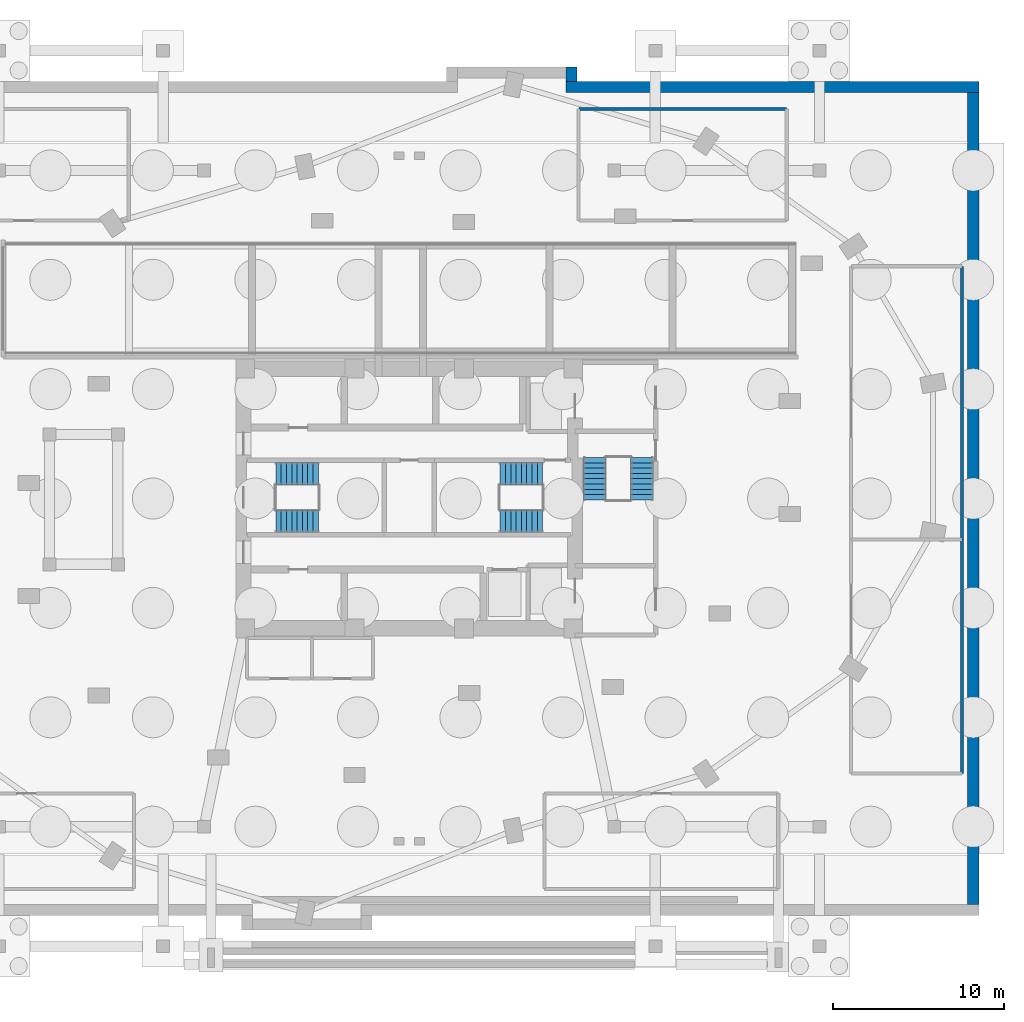
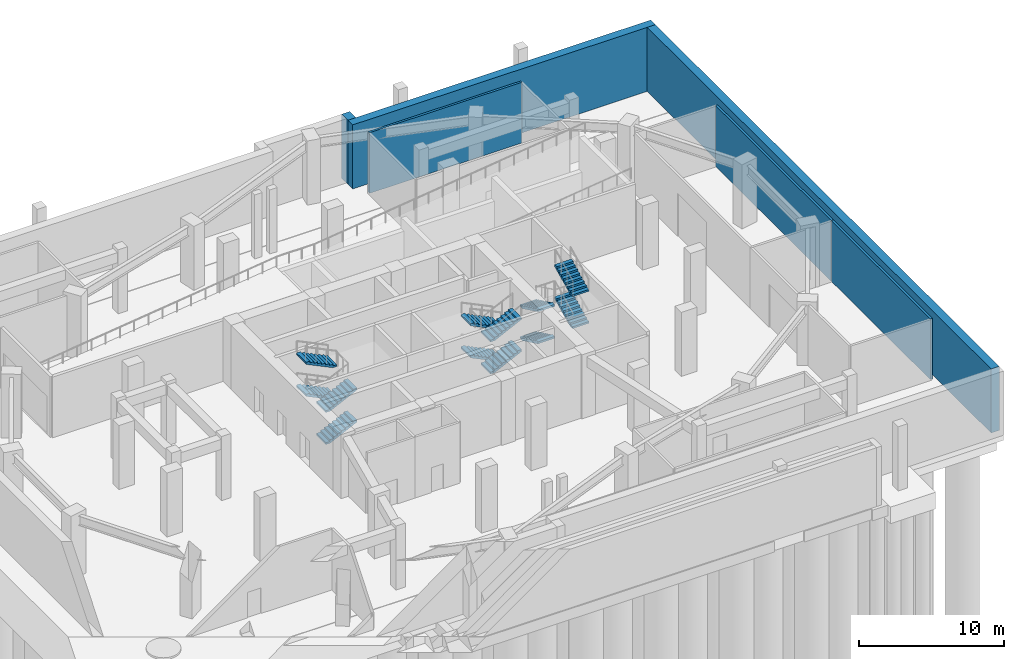
# One storey, part 5 of 8: 12 stair flights, 6 walls, 3 elements without a shape of their own.
"""IFC4 building model written with IfcOpenShell, lengths in metres."""

import ifcopenshell
import ifcopenshell.guid

model = None  # the IFC model being written
_history = None  # IfcOwnerHistory: only IFC2X3 demands one
_inside = {}  # id of a spatial element -> (the spatial element, [elements in it])
_under = {}  # id of a project, library or spatial element -> (it, [spatial elements below it])
_declared = {}  # id of a project -> (the project, [libraries it declares])
_typed = {}  # id of a type object -> (the type object, [elements of that type])
_made_of = {}  # id of a material, layer set ... -> (it, [elements and type objects made of it])


def new_model(schema):
    """Start an empty IFC model of exactly this schema.

    Asked for "IFC4X3", IfcOpenShell would pick the latest addendum, in which some entities
    have other attributes; the version numbers below select the first issue.
    IFC2X3 requires an IfcOwnerHistory on every rooted entity: one is made here for all.
    """
    global model, _history
    if schema == "IFC4X3":
        model = ifcopenshell.file(schema_version=(4, 3, 0, 0))
    else:
        model = ifcopenshell.file(schema=schema)
    _inside.clear()
    _under.clear()
    _declared.clear()
    _typed.clear()
    _made_of.clear()
    _history = None
    if model.schema == "IFC2X3":
        org = make("IfcOrganization", Name="unknown")
        user = make(
            "IfcPersonAndOrganization",
            ThePerson=make("IfcPerson", FamilyName="unknown"),
            TheOrganization=org,
        )
        app = make(
            "IfcApplication",
            ApplicationDeveloper=org,
            Version="unknown",
            ApplicationFullName="unknown",
            ApplicationIdentifier="unknown",
        )
        _history = make(
            "IfcOwnerHistory",
            OwningUser=user,
            OwningApplication=app,
            ChangeAction="ADDED",
            CreationDate=0,
        )
    return model


def make(cls, **values):
    """One entity of the class cls with the attributes given. An attribute that is None is left unset."""
    return model.create_entity(
        cls, **{name: value for name, value in values.items() if value is not None}
    )


def rooted(cls, **values):
    """An entity with a GlobalId (a new one), such as an element, a storey or a relation."""
    return make(cls, GlobalId=ifcopenshell.guid.new(), OwnerHistory=_history, **values)


def si_unit(unit_type, name, prefix=None):
    """IfcSIUnit, for example si_unit("LENGTHUNIT", "METRE", prefix="MILLI")."""
    return make("IfcSIUnit", UnitType=unit_type, Prefix=prefix, Name=name)


def assignment(units):
    """IfcUnitAssignment: the units of a project."""
    return None if units is None else make("IfcUnitAssignment", Units=units)


def point(xyz):
    """IfcCartesianPoint."""
    return None if xyz is None else make("IfcCartesianPoint", Coordinates=xyz)


def direction(xyz):
    """IfcDirection."""
    return None if xyz is None else make("IfcDirection", DirectionRatios=xyz)


def frame(location, z_axis=None, x_axis=None):
    """IfcAxis2Placement3D, a coordinate frame: its origin and axes. An axis left out is left unset."""
    return make(
        "IfcAxis2Placement3D",
        Location=point(location),
        Axis=direction(z_axis),
        RefDirection=direction(x_axis),
    )


def frame_2d(location, x_axis=None):
    """IfcAxis2Placement2D, a coordinate frame in the plane: its origin and x axis."""
    return make(
        "IfcAxis2Placement2D", Location=point(location), RefDirection=direction(x_axis)
    )


def origin():
    """The frame at (0, 0, 0) with its axes left unset."""
    return frame((0.0, 0.0, 0.0))


def place(relative_to, where):
    """IfcLocalPlacement: puts the frame where relative to a parent placement (None: the world)."""
    return make(
        "IfcLocalPlacement", PlacementRelTo=relative_to, RelativePlacement=where
    )


def context(
    kind, dimensions, precision=None, world=None, true_north=None, identifier=None
):
    """IfcGeometricRepresentationContext, for example the 3D "Model" context."""
    return make(
        "IfcGeometricRepresentationContext",
        ContextIdentifier=identifier,
        ContextType=kind,
        CoordinateSpaceDimension=dimensions,
        Precision=precision,
        WorldCoordinateSystem=world,
        TrueNorth=true_north,
    )


def subcontext(parent, identifier, kind, view, scale=None):
    """IfcGeometricRepresentationSubContext, for example "Body" below "Model"."""
    return make(
        "IfcGeometricRepresentationSubContext",
        ContextIdentifier=identifier,
        ContextType=kind,
        ParentContext=parent,
        TargetScale=scale,
        TargetView=view,
    )


def project(units=None, contexts=None):
    """IfcProject with its units and contexts."""
    return rooted(
        "IfcProject",
        Name="project",
        RepresentationContexts=contexts,
        UnitsInContext=assignment(units),
    )


def spatial(cls, under=None, at=None, **own):
    """A site, building, storey or space (cls), placed at a placement, below another one or the project."""
    s = rooted(cls, ObjectPlacement=at, **own)
    if under is not None:
        _under.setdefault(under.id(), (under, []))[1].append(s)
    return s


def polyline(points):
    """IfcPolyline through the points."""
    return make("IfcPolyline", Points=[point(p) for p in points])


def profile(cls, at=None, kind="AREA", **sizes):
    """A parametric profile (cls). Its sizes go by their IFC names, for example OverallWidth=200.0."""
    return make(cls, ProfileType=kind, Position=at, **sizes)


def rectangle(**sizes):
    """IfcRectangleProfileDef."""
    return profile("IfcRectangleProfileDef", **sizes)


def outline(outer, holes=None, kind="AREA"):
    """IfcArbitraryClosedProfileDef: a profile drawn as a closed curve; with holes, ...WithVoids."""
    if holes is None:
        return make("IfcArbitraryClosedProfileDef", ProfileType=kind, OuterCurve=outer)
    return make(
        "IfcArbitraryProfileDefWithVoids",
        ProfileType=kind,
        OuterCurve=outer,
        InnerCurves=holes,
    )


def extrude(swept, where, along, depth):
    """IfcExtrudedAreaSolid: the profile swept, set in the frame where, extruded along a direction by depth."""
    return make(
        "IfcExtrudedAreaSolid",
        SweptArea=swept,
        Position=where,
        ExtrudedDirection=direction(along),
        Depth=depth,
    )


def shape(context_of_items, identifier, shape_type, items):
    """IfcShapeRepresentation: the items that make up one representation, for example the "Body"."""
    return make(
        "IfcShapeRepresentation",
        ContextOfItems=context_of_items,
        RepresentationIdentifier=identifier,
        RepresentationType=shape_type,
        Items=items,
    )


def material(Name=None, Category=None):
    """IfcMaterial."""
    return make("IfcMaterial", Name=Name, Category=Category)


def layer(
    of_material, thickness, ventilated=None, Name=None, Category=None, Priority=None
):
    """IfcMaterialLayer: one layer of a wall or slab, of a material (None: an air gap)."""
    return make(
        "IfcMaterialLayer",
        Material=of_material,
        LayerThickness=thickness,
        IsVentilated=ventilated,
        Name=Name,
        Category=Category,
        Priority=Priority,
    )


def layer_set(layers, Name=None):
    """IfcMaterialLayerSet."""
    return make("IfcMaterialLayerSet", MaterialLayers=layers, LayerSetName=Name)


def made_of(thing, what):
    """Note that an element or type object is made of a material, layer set ...; save() writes the relation."""
    if what is not None:
        _made_of.setdefault(what.id(), (what, []))[1].append(thing)
    return thing


def type_object(cls, material=None, **own):
    """A type object (cls), such as IfcWallType, which elements share."""
    return made_of(rooted(cls, **own), material)


def element(
    cls,
    number,
    at=None,
    inside=None,
    cuts=None,
    type_object=None,
    material=None,
    context=None,
    identifier="Body",
    shape_type=None,
    held_by="IfcProductDefinitionShape",
    body=None,
    shapes=None,
    **own,
):
    """One element of the class cls, such as IfcWall. Its Tag is "e" and its number.

    at: its placement. inside: the storey or other place that contains it. cuts: it is an
    opening in that element (IfcRelVoidsElement). A single representation is given by context,
    identifier, shape_type and body (its items); several are given by shapes. held_by: the class
    of the entity that holds the representations. save() writes the other relations.
    """
    e = rooted(cls, Tag="e%d" % number, ObjectPlacement=at, **own)
    if body is not None:
        shapes = [shape(context, identifier, shape_type, body)]
    if shapes is not None:
        e.Representation = make(held_by, Representations=shapes)
    if inside is not None:
        _inside.setdefault(inside.id(), (inside, []))[1].append(e)
    if cuts is not None:
        rooted(
            "IfcRelVoidsElement", RelatingBuildingElement=cuts, RelatedOpeningElement=e
        )
    if type_object is not None:
        _typed.setdefault(type_object.id(), (type_object, []))[1].append(e)
    return made_of(e, material)


def aggregate(whole, parts):
    """IfcRelAggregates: a whole, such as a stair, and the parts it consists of."""
    return rooted("IfcRelAggregates", RelatingObject=whole, RelatedObjects=parts)


def save(model, path):
    """Write the relations noted so far, then the file.

    IfcRelAggregates (storeys below a building ...), IfcRelContainedInSpatialStructure (elements
    in a storey), IfcRelDefinesByType, IfcRelAssociatesMaterial and IfcRelDeclares: one each for
    every whole, place, type object, material and project.
    """
    for whole, parts in _under.values():
        aggregate(whole, parts)
    for where, things in _inside.values():
        rooted(
            "IfcRelContainedInSpatialStructure",
            RelatedElements=things,
            RelatingStructure=where,
        )
    for kind, things in _typed.values():
        rooted("IfcRelDefinesByType", RelatedObjects=things, RelatingType=kind)
    for what, things in _made_of.values():
        rooted("IfcRelAssociatesMaterial", RelatedObjects=things, RelatingMaterial=what)
    for by, libraries in _declared.values():
        rooted("IfcRelDeclares", RelatingContext=by, RelatedDefinitions=libraries)
    model.write(path)


model = new_model("IFC4")

# Units and contexts
model_context = context("Model", 3, precision=1e-05, world=origin(), true_north=direction((0.0, 1.0)))
body_context = subcontext(model_context, "Body", "Model", "MODEL_VIEW")
ifc_project = project(units=[si_unit("LENGTHUNIT", "METRE"), si_unit("AREAUNIT", "SQUARE_METRE"), si_unit("VOLUMEUNIT", "CUBIC_METRE"), si_unit("PLANEANGLEUNIT", "RADIAN"), si_unit("MASSUNIT", "GRAM", prefix="KILO")], contexts=[model_context])

# Site, building, storey
site_placement = place(None, origin())
site = spatial("IfcSite", under=ifc_project, at=site_placement, CompositionType="ELEMENT")
building_placement = place(site_placement, origin())
building = spatial("IfcBuilding", under=site, at=building_placement, Name="Lazwardi Medical Tower", CompositionType="ELEMENT")
storey_placement = place(building_placement, frame((0.0, 0.0, -5.39990234375)))
storey = spatial("IfcBuildingStorey", under=building, at=storey_placement, Name="B1", CompositionType="ELEMENT", Elevation=-5.39990234375)

# Walls
ifc_material_1 = material(Name="Fire-rated gypsum board on steel stud", Category="steel")
ifc_layer_1 = layer(ifc_material_1, 0.179931640625)
ifc_layer_set_1 = layer_set([ifc_layer_1], Name="Fire-rated gypsum board on steel stud")
wall_type_1 = type_object("IfcWallType", Name="WL-COR-180", PredefinedType="PARTITIONING", material=ifc_layer_set_1)
wall_1_placement = place(storey_placement, frame((68.340087890625, 11.919921875, 0.0), z_axis=(0.0, 0.0, 1.0), x_axis=(0.0, 1.0, 0.0)))
element("IfcWall", 1, at=wall_1_placement, inside=storey, type_object=wall_type_1, Name="B1 Loading Bay wall E", PredefinedType="PARTITIONING", context=body_context, shape_type="SweptSolid", body=[
    extrude(rectangle(XDim=13.670166015625, YDim=0.179931640625, at=frame_2d((6.8349609375, 0.0))), origin(), (0.0, 0.0, 1.0), 5.119873046875),
])
wall_2_placement = place(storey_placement, frame((68.340087890625, 25.610107421875, 0.0), z_axis=(0.0, 0.0, 1.0), x_axis=(0.0, 1.0, 0.0)))
element("IfcWall", 2, at=wall_2_placement, inside=storey, type_object=wall_type_1, Name="B1 Sterile Store wall E", PredefinedType="PARTITIONING", context=body_context, shape_type="SweptSolid", body=[
    extrude(rectangle(XDim=15.969970703125, YDim=0.179931640625, at=frame_2d((7.98486328125, 0.0))), origin(), (0.0, 0.0, 1.0), 5.119873046875),
])
wall_3_placement = place(storey_placement, frame((45.919921875, 50.7900390625, 0.0), z_axis=(0.0, 0.0, 1.0), x_axis=(1.0, 0.0, 0.0)))
element("IfcWall", 3, at=wall_3_placement, inside=storey, type_object=wall_type_1, Name="B1 Medical Gas Plant Room wall N", PredefinedType="PARTITIONING", context=body_context, shape_type="SweptSolid", body=[
    extrude(rectangle(XDim=12.16015625, YDim=0.179931640625, at=frame_2d((6.080078125, 0.0))), origin(), (0.0, 0.0, 1.0), 5.119873046875),
])
ifc_material_2 = material(Name="Concrete C50/60", Category="concrete")
ifc_layer_2 = layer(ifc_material_2, 0.64990234375)
ifc_layer_set_2 = layer_set([ifc_layer_2], Name="Concrete C50/60")
wall_type_2 = type_object("IfcWallType", Name="WL-RET-650", PredefinedType="SHEAR", material=ifc_layer_set_2)
wall_4_placement = place(storey_placement, frame((45.5, 53.25, 0.0), z_axis=(0.0, 0.0, 1.0), x_axis=(0.0, -1.0, 0.0)))
element("IfcWall", 4, at=wall_4_placement, inside=storey, type_object=wall_type_2, Name="Basement retaining wall RW-01 north step east", PredefinedType="SHEAR", context=body_context, shape_type="SweptSolid", body=[
    extrude(rectangle(XDim=0.85009765625, YDim=0.64990234375, at=frame_2d((0.425048828125, 0.0))), origin(), (0.0, 0.0, 1.0), 5.39990234375),
])
wall_5_placement = place(storey_placement, frame((45.175048828125, 52.074951171875, 0.0), z_axis=(0.0, 0.0, 1.0), x_axis=(1.0, 0.0, 0.0)))
element("IfcWall", 5, at=wall_5_placement, inside=storey, type_object=wall_type_2, Name="Basement retaining wall RW-01 north east", PredefinedType="SHEAR", context=body_context, shape_type="SweptSolid", body=[
    extrude(rectangle(XDim=24.14990234375, YDim=0.64990234375, at=frame_2d((12.074951171875, 0.0))), origin(), (0.0, 0.0, 1.0), 5.39990234375),
])
wall_6_placement = place(storey_placement, frame((69.0, 4.25, 0.0), z_axis=(0.0, 0.0, 1.0), x_axis=(0.0, 1.0, 0.0)))
element("IfcWall", 6, at=wall_6_placement, inside=storey, type_object=wall_type_2, Name="Basement retaining wall RW-01 east", PredefinedType="SHEAR", context=body_context, shape_type="SweptSolid", body=[
    extrude(rectangle(XDim=47.5, YDim=0.64990234375, at=frame_2d((23.75, 0.0))), origin(), (0.0, 0.0, 1.0), 5.39990234375),
])

# Stair, stair flights
ifc_material_3 = material(Name="Concrete C45/55", Category="concrete")
stair_type = type_object("IfcStairType", Name="STR-B1", PredefinedType="HALF_TURN_STAIR", material=ifc_material_3)
stair_1_placement = place(storey_placement, origin())
stair_1 = element("IfcStair", 7, at=stair_1_placement, inside=storey, type_object=stair_type, Name="B1 Protected Exit Stair ST1", PredefinedType="HALF_TURN_STAIR")
stair_flight_type = type_object("IfcStairFlightType", Name="FLT-B1", PredefinedType="STRAIGHT", material=ifc_material_3)
stair_flight_1_placement = place(storey_placement, frame((28.199951171875, 26.679931640625, 0.0), z_axis=(0.0, 0.0, 1.0), x_axis=(1.0, 0.0, 0.0)))
stair_flight_1 = element("IfcStairFlight", 8, at=stair_flight_1_placement, type_object=stair_flight_type, Name="ST1 flight 1", NumberOfRisers=9, NumberOfTreads=8, PredefinedType="STRAIGHT", RiserHeight=0.15, TreadLength=0.31, context=body_context, shape_type="SweptSolid", body=[
    extrude(outline(polyline([(0.0, 0.0), (0.0, 0.14990234375), (0.31005859375, 0.14990234375), (0.31005859375, 0.300048828125), (0.6201171875, 0.300048828125), (0.6201171875, 0.449951171875), (0.929931640625, 0.449951171875), (0.929931640625, 0.60009765625), (1.239990234375, 0.60009765625), (1.239990234375, 0.75), (1.550048828125, 0.75), (1.550048828125, 0.89990234375), (1.860107421875, 0.89990234375), (1.860107421875, 1.050048828125), (2.169921875, 1.050048828125), (2.169921875, 1.199951171875), (2.47998046875, 1.199951171875), (2.47998046875, 1.35009765625), (2.47998046875, 1.033447265625), (0.34423828125, 0.0), (0.0, 0.0)])), frame((0.0, 0.66015625, 0.0), z_axis=(0.0, -1.0, 0.0), x_axis=(1.0, 0.0, 0.0)), (0.0, 0.0, 1.0), 1.320068359375),
])
stair_flight_2_placement = place(storey_placement, frame((30.679931640625, 29.43994140625, 1.349853515625), z_axis=(0.0, 0.0, 1.0), x_axis=(-1.0, 0.0, 0.0)))
stair_flight_2 = element("IfcStairFlight", 9, at=stair_flight_2_placement, type_object=stair_flight_type, Name="ST1 flight 2", NumberOfRisers=9, NumberOfTreads=8, PredefinedType="STRAIGHT", RiserHeight=0.15, TreadLength=0.31, context=body_context, shape_type="SweptSolid", body=[
    extrude(outline(polyline([(0.0, 0.0), (0.0, 0.14990234375), (0.31005859375, 0.14990234375), (0.31005859375, 0.300048828125), (0.6201171875, 0.300048828125), (0.6201171875, 0.449951171875), (0.929931640625, 0.449951171875), (0.929931640625, 0.60009765625), (1.239990234375, 0.60009765625), (1.239990234375, 0.75), (1.550048828125, 0.75), (1.550048828125, 0.89990234375), (1.860107421875, 0.89990234375), (1.860107421875, 1.050048828125), (2.169921875, 1.050048828125), (2.169921875, 1.199951171875), (2.47998046875, 1.199951171875), (2.47998046875, 1.35009765625), (2.47998046875, 1.033447265625), (0.34423828125, 0.0), (0.0, 0.0)])), frame((0.0, 0.66015625, 0.0), z_axis=(0.0, -1.0, 0.0), x_axis=(1.0, 0.0, 0.0)), (0.0, 0.0, 1.0), 1.320068359375),
])
stair_flight_3_placement = place(storey_placement, frame((28.199951171875, 26.679931640625, 2.699951171875), z_axis=(0.0, 0.0, 1.0), x_axis=(1.0, 0.0, 0.0)))
stair_flight_3 = element("IfcStairFlight", 10, at=stair_flight_3_placement, type_object=stair_flight_type, Name="ST1 flight 3", NumberOfRisers=9, NumberOfTreads=8, PredefinedType="STRAIGHT", RiserHeight=0.15, TreadLength=0.31, context=body_context, shape_type="SweptSolid", body=[
    extrude(outline(polyline([(0.0, 0.0), (0.0, 0.14990234375), (0.31005859375, 0.14990234375), (0.31005859375, 0.300048828125), (0.6201171875, 0.300048828125), (0.6201171875, 0.449951171875), (0.929931640625, 0.449951171875), (0.929931640625, 0.60009765625), (1.239990234375, 0.60009765625), (1.239990234375, 0.75), (1.550048828125, 0.75), (1.550048828125, 0.89990234375), (1.860107421875, 0.89990234375), (1.860107421875, 1.050048828125), (2.169921875, 1.050048828125), (2.169921875, 1.199951171875), (2.47998046875, 1.199951171875), (2.47998046875, 1.35009765625), (2.47998046875, 1.033447265625), (0.34423828125, 0.0), (0.0, 0.0)])), frame((0.0, 0.66015625, 0.0), z_axis=(0.0, -1.0, 0.0), x_axis=(1.0, 0.0, 0.0)), (0.0, 0.0, 1.0), 1.320068359375),
])
stair_flight_4_placement = place(storey_placement, frame((30.679931640625, 29.43994140625, 4.0498046875), z_axis=(0.0, 0.0, 1.0), x_axis=(-1.0, 0.0, 0.0)))
stair_flight_4 = element("IfcStairFlight", 11, at=stair_flight_4_placement, type_object=stair_flight_type, Name="ST1 flight 4", NumberOfRisers=9, NumberOfTreads=8, PredefinedType="STRAIGHT", RiserHeight=0.15, TreadLength=0.31, context=body_context, shape_type="SweptSolid", body=[
    extrude(outline(polyline([(0.0, 0.0), (0.0, 0.14990234375), (0.31005859375, 0.14990234375), (0.31005859375, 0.300048828125), (0.6201171875, 0.300048828125), (0.6201171875, 0.449951171875), (0.929931640625, 0.449951171875), (0.929931640625, 0.60009765625), (1.239990234375, 0.60009765625), (1.239990234375, 0.75), (1.550048828125, 0.75), (1.550048828125, 0.89990234375), (1.860107421875, 0.89990234375), (1.860107421875, 1.050048828125), (2.169921875, 1.050048828125), (2.169921875, 1.199951171875), (2.47998046875, 1.199951171875), (2.47998046875, 1.35009765625), (2.47998046875, 1.033447265625), (0.34423828125, 0.0), (0.0, 0.0)])), frame((0.0, 0.66015625, 0.0), z_axis=(0.0, -1.0, 0.0), x_axis=(1.0, 0.0, 0.0)), (0.0, 0.0, 1.0), 1.320068359375),
])
aggregate(stair_1, [stair_flight_1, stair_flight_2, stair_flight_3, stair_flight_4])

stair_2_placement = place(storey_placement, origin())
stair_2 = element("IfcStair", 12, at=stair_2_placement, inside=storey, type_object=stair_type, Name="B1 Protected Exit Stair ST2", PredefinedType="HALF_TURN_STAIR")
stair_flight_5_placement = place(storey_placement, frame((43.800048828125, 29.43994140625, 0.0), z_axis=(0.0, 0.0, 1.0), x_axis=(-1.0, 0.0, 0.0)))
stair_flight_5 = element("IfcStairFlight", 13, at=stair_flight_5_placement, type_object=stair_flight_type, Name="ST2 flight 1", NumberOfRisers=9, NumberOfTreads=8, PredefinedType="STRAIGHT", RiserHeight=0.15, TreadLength=0.31, context=body_context, shape_type="SweptSolid", body=[
    extrude(outline(polyline([(0.0, 0.0), (0.0, 0.14990234375), (0.31005859375, 0.14990234375), (0.31005859375, 0.300048828125), (0.6201171875, 0.300048828125), (0.6201171875, 0.449951171875), (0.929931640625, 0.449951171875), (0.929931640625, 0.60009765625), (1.239990234375, 0.60009765625), (1.239990234375, 0.75), (1.550048828125, 0.75), (1.550048828125, 0.89990234375), (1.860107421875, 0.89990234375), (1.860107421875, 1.050048828125), (2.169921875, 1.050048828125), (2.169921875, 1.199951171875), (2.47998046875, 1.199951171875), (2.47998046875, 1.35009765625), (2.47998046875, 1.033447265625), (0.34423828125, 0.0), (0.0, 0.0)])), frame((0.0, 0.66015625, 0.0), z_axis=(0.0, -1.0, 0.0), x_axis=(1.0, 0.0, 0.0)), (0.0, 0.0, 1.0), 1.320068359375),
])
stair_flight_6_placement = place(storey_placement, frame((41.320068359375, 26.679931640625, 1.349853515625), z_axis=(0.0, 0.0, 1.0), x_axis=(1.0, 0.0, 0.0)))
stair_flight_6 = element("IfcStairFlight", 14, at=stair_flight_6_placement, type_object=stair_flight_type, Name="ST2 flight 2", NumberOfRisers=9, NumberOfTreads=8, PredefinedType="STRAIGHT", RiserHeight=0.15, TreadLength=0.31, context=body_context, shape_type="SweptSolid", body=[
    extrude(outline(polyline([(0.0, 0.0), (0.0, 0.14990234375), (0.31005859375, 0.14990234375), (0.31005859375, 0.300048828125), (0.6201171875, 0.300048828125), (0.6201171875, 0.449951171875), (0.929931640625, 0.449951171875), (0.929931640625, 0.60009765625), (1.239990234375, 0.60009765625), (1.239990234375, 0.75), (1.550048828125, 0.75), (1.550048828125, 0.89990234375), (1.860107421875, 0.89990234375), (1.860107421875, 1.050048828125), (2.169921875, 1.050048828125), (2.169921875, 1.199951171875), (2.47998046875, 1.199951171875), (2.47998046875, 1.35009765625), (2.47998046875, 1.033447265625), (0.34423828125, 0.0), (0.0, 0.0)])), frame((0.0, 0.66015625, 0.0), z_axis=(0.0, -1.0, 0.0), x_axis=(1.0, 0.0, 0.0)), (0.0, 0.0, 1.0), 1.320068359375),
])
stair_flight_7_placement = place(storey_placement, frame((43.800048828125, 29.43994140625, 2.699951171875), z_axis=(0.0, 0.0, 1.0), x_axis=(-1.0, 0.0, 0.0)))
stair_flight_7 = element("IfcStairFlight", 15, at=stair_flight_7_placement, type_object=stair_flight_type, Name="ST2 flight 3", NumberOfRisers=9, NumberOfTreads=8, PredefinedType="STRAIGHT", RiserHeight=0.15, TreadLength=0.31, context=body_context, shape_type="SweptSolid", body=[
    extrude(outline(polyline([(0.0, 0.0), (0.0, 0.14990234375), (0.31005859375, 0.14990234375), (0.31005859375, 0.300048828125), (0.6201171875, 0.300048828125), (0.6201171875, 0.449951171875), (0.929931640625, 0.449951171875), (0.929931640625, 0.60009765625), (1.239990234375, 0.60009765625), (1.239990234375, 0.75), (1.550048828125, 0.75), (1.550048828125, 0.89990234375), (1.860107421875, 0.89990234375), (1.860107421875, 1.050048828125), (2.169921875, 1.050048828125), (2.169921875, 1.199951171875), (2.47998046875, 1.199951171875), (2.47998046875, 1.35009765625), (2.47998046875, 1.033447265625), (0.34423828125, 0.0), (0.0, 0.0)])), frame((0.0, 0.66015625, 0.0), z_axis=(0.0, -1.0, 0.0), x_axis=(1.0, 0.0, 0.0)), (0.0, 0.0, 1.0), 1.320068359375),
])
stair_flight_8_placement = place(storey_placement, frame((41.320068359375, 26.679931640625, 4.0498046875), z_axis=(0.0, 0.0, 1.0), x_axis=(1.0, 0.0, 0.0)))
stair_flight_8 = element("IfcStairFlight", 16, at=stair_flight_8_placement, type_object=stair_flight_type, Name="ST2 flight 4", NumberOfRisers=9, NumberOfTreads=8, PredefinedType="STRAIGHT", RiserHeight=0.15, TreadLength=0.31, context=body_context, shape_type="SweptSolid", body=[
    extrude(outline(polyline([(0.0, 0.0), (0.0, 0.14990234375), (0.31005859375, 0.14990234375), (0.31005859375, 0.300048828125), (0.6201171875, 0.300048828125), (0.6201171875, 0.449951171875), (0.929931640625, 0.449951171875), (0.929931640625, 0.60009765625), (1.239990234375, 0.60009765625), (1.239990234375, 0.75), (1.550048828125, 0.75), (1.550048828125, 0.89990234375), (1.860107421875, 0.89990234375), (1.860107421875, 1.050048828125), (2.169921875, 1.050048828125), (2.169921875, 1.199951171875), (2.47998046875, 1.199951171875), (2.47998046875, 1.35009765625), (2.47998046875, 1.033447265625), (0.34423828125, 0.0), (0.0, 0.0)])), frame((0.0, 0.66015625, 0.0), z_axis=(0.0, -1.0, 0.0), x_axis=(1.0, 0.0, 0.0)), (0.0, 0.0, 1.0), 1.320068359375),
])
aggregate(stair_2, [stair_flight_5, stair_flight_6, stair_flight_7, stair_flight_8])

stair_3_placement = place(storey_placement, origin())
stair_3 = element("IfcStair", 17, at=stair_3_placement, inside=storey, type_object=stair_type, Name="B1 Protected Exit Stair ST3", PredefinedType="HALF_TURN_STAIR")
stair_flight_9_placement = place(storey_placement, frame((46.860107421875, 30.39990234375, 0.0), z_axis=(0.0, 0.0, 1.0), x_axis=(0.0, -1.0, 0.0)))
stair_flight_9 = element("IfcStairFlight", 18, at=stair_flight_9_placement, type_object=stair_flight_type, Name="ST3 flight 1", NumberOfRisers=9, NumberOfTreads=8, PredefinedType="STRAIGHT", RiserHeight=0.15, TreadLength=0.31, context=body_context, shape_type="SweptSolid", body=[
    extrude(outline(polyline([(0.0, 0.0), (0.0, 0.14990234375), (0.31005859375, 0.14990234375), (0.31005859375, 0.300048828125), (0.6201171875, 0.300048828125), (0.6201171875, 0.449951171875), (0.929931640625, 0.449951171875), (0.929931640625, 0.60009765625), (1.239990234375, 0.60009765625), (1.239990234375, 0.75), (1.550048828125, 0.75), (1.550048828125, 0.89990234375), (1.860107421875, 0.89990234375), (1.860107421875, 1.050048828125), (2.169921875, 1.050048828125), (2.169921875, 1.199951171875), (2.47998046875, 1.199951171875), (2.47998046875, 1.35009765625), (2.47998046875, 1.033447265625), (0.34423828125, 0.0), (0.0, 0.0)])), frame((0.0, 0.66015625, 0.0), z_axis=(0.0, -1.0, 0.0), x_axis=(1.0, 0.0, 0.0)), (0.0, 0.0, 1.0), 1.320068359375),
])
stair_flight_10_placement = place(storey_placement, frame((49.6201171875, 27.919921875, 1.349853515625), z_axis=(0.0, 0.0, 1.0), x_axis=(0.0, 1.0, 0.0)))
stair_flight_10 = element("IfcStairFlight", 19, at=stair_flight_10_placement, type_object=stair_flight_type, Name="ST3 flight 2", NumberOfRisers=9, NumberOfTreads=8, PredefinedType="STRAIGHT", RiserHeight=0.15, TreadLength=0.31, context=body_context, shape_type="SweptSolid", body=[
    extrude(outline(polyline([(0.0, 0.0), (0.0, 0.14990234375), (0.31005859375, 0.14990234375), (0.31005859375, 0.300048828125), (0.6201171875, 0.300048828125), (0.6201171875, 0.449951171875), (0.929931640625, 0.449951171875), (0.929931640625, 0.60009765625), (1.239990234375, 0.60009765625), (1.239990234375, 0.75), (1.550048828125, 0.75), (1.550048828125, 0.89990234375), (1.860107421875, 0.89990234375), (1.860107421875, 1.050048828125), (2.169921875, 1.050048828125), (2.169921875, 1.199951171875), (2.47998046875, 1.199951171875), (2.47998046875, 1.35009765625), (2.47998046875, 1.033447265625), (0.34423828125, 0.0), (0.0, 0.0)])), frame((0.0, 0.66015625, 0.0), z_axis=(0.0, -1.0, 0.0), x_axis=(1.0, 0.0, 0.0)), (0.0, 0.0, 1.0), 1.320068359375),
])
stair_flight_11_placement = place(storey_placement, frame((46.860107421875, 30.39990234375, 2.699951171875), z_axis=(0.0, 0.0, 1.0), x_axis=(0.0, -1.0, 0.0)))
stair_flight_11 = element("IfcStairFlight", 20, at=stair_flight_11_placement, type_object=stair_flight_type, Name="ST3 flight 3", NumberOfRisers=9, NumberOfTreads=8, PredefinedType="STRAIGHT", RiserHeight=0.15, TreadLength=0.31, context=body_context, shape_type="SweptSolid", body=[
    extrude(outline(polyline([(0.0, 0.0), (0.0, 0.14990234375), (0.31005859375, 0.14990234375), (0.31005859375, 0.300048828125), (0.6201171875, 0.300048828125), (0.6201171875, 0.449951171875), (0.929931640625, 0.449951171875), (0.929931640625, 0.60009765625), (1.239990234375, 0.60009765625), (1.239990234375, 0.75), (1.550048828125, 0.75), (1.550048828125, 0.89990234375), (1.860107421875, 0.89990234375), (1.860107421875, 1.050048828125), (2.169921875, 1.050048828125), (2.169921875, 1.199951171875), (2.47998046875, 1.199951171875), (2.47998046875, 1.35009765625), (2.47998046875, 1.033447265625), (0.34423828125, 0.0), (0.0, 0.0)])), frame((0.0, 0.66015625, 0.0), z_axis=(0.0, -1.0, 0.0), x_axis=(1.0, 0.0, 0.0)), (0.0, 0.0, 1.0), 1.320068359375),
])
stair_flight_12_placement = place(storey_placement, frame((49.6201171875, 27.919921875, 4.0498046875), z_axis=(0.0, 0.0, 1.0), x_axis=(0.0, 1.0, 0.0)))
stair_flight_12 = element("IfcStairFlight", 21, at=stair_flight_12_placement, type_object=stair_flight_type, Name="ST3 flight 4", NumberOfRisers=9, NumberOfTreads=8, PredefinedType="STRAIGHT", RiserHeight=0.15, TreadLength=0.31, context=body_context, shape_type="SweptSolid", body=[
    extrude(outline(polyline([(0.0, 0.0), (0.0, 0.14990234375), (0.31005859375, 0.14990234375), (0.31005859375, 0.300048828125), (0.6201171875, 0.300048828125), (0.6201171875, 0.449951171875), (0.929931640625, 0.449951171875), (0.929931640625, 0.60009765625), (1.239990234375, 0.60009765625), (1.239990234375, 0.75), (1.550048828125, 0.75), (1.550048828125, 0.89990234375), (1.860107421875, 0.89990234375), (1.860107421875, 1.050048828125), (2.169921875, 1.050048828125), (2.169921875, 1.199951171875), (2.47998046875, 1.199951171875), (2.47998046875, 1.35009765625), (2.47998046875, 1.033447265625), (0.34423828125, 0.0), (0.0, 0.0)])), frame((0.0, 0.66015625, 0.0), z_axis=(0.0, -1.0, 0.0), x_axis=(1.0, 0.0, 0.0)), (0.0, 0.0, 1.0), 1.320068359375),
])
aggregate(stair_3, [stair_flight_9, stair_flight_10, stair_flight_11, stair_flight_12])

save(model, "model.ifc")
